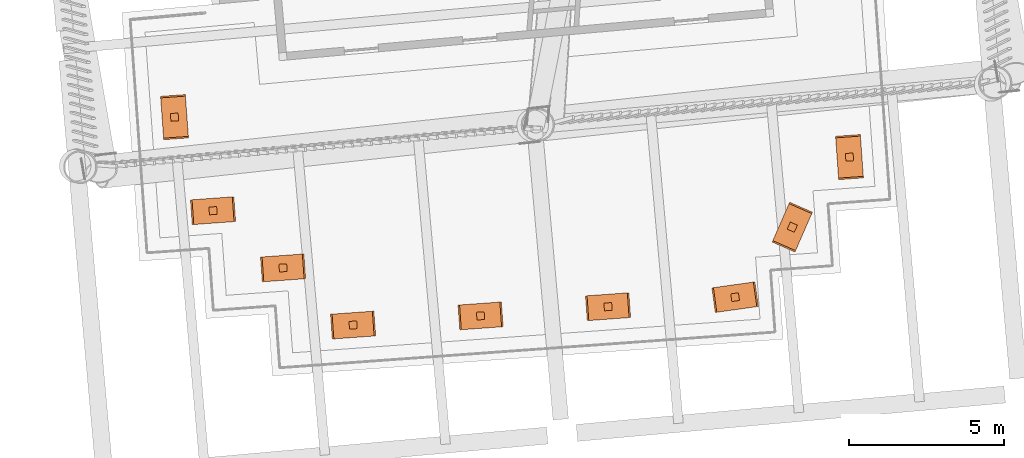
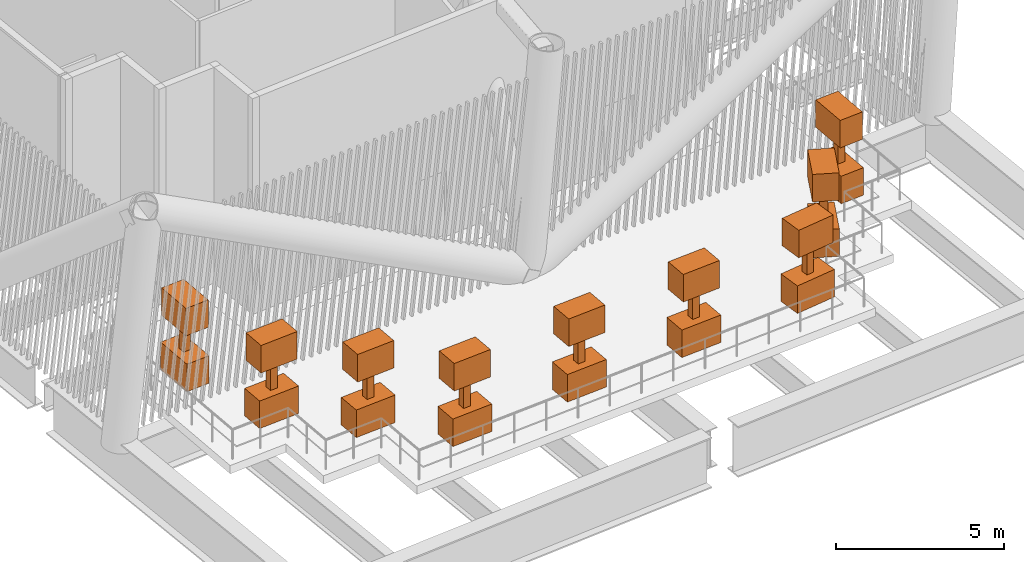
# One storey, part 55 of 55: 27 proxies.
"""IFC4 building model written with IfcOpenShell, lengths in metres."""

from ifc_helpers import new_model, si_unit, direction, frame, origin, origin_2d, place, context, subcontext, project, spatial, rectangle, extrude, material, type_object, element, save


model = new_model("IFC4")

# Units and contexts
model_context = context("Model", 3, precision=1e-05, world=origin(), true_north=direction((0.0, 1.0)))
body_context = subcontext(model_context, "Body", "Model", "MODEL_VIEW")
ifc_project = project(units=[si_unit("LENGTHUNIT", "METRE"), si_unit("AREAUNIT", "SQUARE_METRE"), si_unit("VOLUMEUNIT", "CUBIC_METRE"), si_unit("PLANEANGLEUNIT", "RADIAN"), si_unit("MASSUNIT", "GRAM", prefix="KILO")], contexts=[model_context])

# Site, building, storey
site_placement = place(None, origin())
site = spatial("IfcSite", under=ifc_project, at=site_placement, CompositionType="ELEMENT")
building_placement = place(site_placement, origin())
building = spatial("IfcBuilding", under=site, at=building_placement, Name="Tarsis Ring Headquarters", CompositionType="ELEMENT")
storey_placement = place(building_placement, frame((0.0, 0.0, 247.199951171875)))
storey = spatial("IfcBuildingStorey", under=building, at=storey_placement, Name="L58", CompositionType="ELEMENT", Elevation=247.199951171875)

# Proxies
ifc_material_1 = material(Name="Tree canopy foliage")
building_element_proxy_type_1 = type_object("IfcBuildingElementProxyType", Name="Tree canopy", PredefinedType="USERDEFINED", material=ifc_material_1)
for number, where, z_axis, x_axis, name in (
    (1, (13.972900390625, -43.65966796875, 2.0400390625), (0.0, 0.0, 1.0), (0.071845612485, -0.997415764848, 0.0), "Tree canopy L58-T1.8"),
    (2, (12.130126953125, -45.916015625, 2.0400390625), (0.0, 0.0, 1.0), (-0.400772115137, -0.916177772994, 0.0), "Tree canopy L58-T1.9"),
    (3, (10.28759765625, -48.172607421875, 2.0400390625), (0.0, 0.0, 1.0), (-0.990149004345, -0.14001767458, 0.0), "Tree canopy L58-T1.10"),
    (4, (6.19384765625, -48.480224609375, 2.0400390625), (0.0, 0.0, 1.0), (-0.997415764848, -0.071845612485, 0.0), "Tree canopy L58-T1.11"),
    (5, (2.086181640625, -48.776123046875, 2.0400390625), (0.0, 0.0, 1.0), (-0.997415764848, -0.071845612485, 0.0), "Tree canopy L58-T1.12"),
    (6, (-2.021484375, -49.072021484375, 2.0400390625), (0.0, 0.0, 1.0), (-0.997415764848, -0.071845612485, 0.0), "Tree canopy L58-T1.13"),
    (7, (-4.27783203125, -47.2294921875, 2.0400390625), (0.0, 0.0, 1.0), (-0.997415764848, -0.071845612485, 0.0), "Tree canopy L58-T1.14"),
    (8, (-6.5341796875, -45.38671875, 2.0400390625), (0.0, 0.0, 1.0), (-0.997415764848, -0.071845612485, 0.0), "Tree canopy L58-T1.15"),
    (9, (-7.77587890625, -42.371826171875, 2.0400390625), (0.0, 0.0, 1.0), (-0.071845612485, 0.997415764848, 0.0), "Tree canopy L58-T1.16"),
):
    element("IfcBuildingElementProxy", number, at=place(storey_placement, frame(where, z_axis=z_axis, x_axis=x_axis)), inside=storey, type_object=building_element_proxy_type_1, Name=name, ObjectType="Tree canopy", PredefinedType="USERDEFINED", context=body_context, shape_type="SweptSolid", body=[
        extrude(rectangle(XDim=1.300048828125, YDim=0.800048828125, at=origin_2d()), origin(), (0.0, 0.0, 1.0), 1.0),
    ])
ifc_material_2 = material(Name="Planter soil mix and tree")
building_element_proxy_type_2 = type_object("IfcBuildingElementProxyType", Name="Tree planter", PredefinedType="USERDEFINED", material=ifc_material_2)
for number, where, z_axis, x_axis, name in (
    (10, (13.972900390625, -43.65966796875, 0.0400390625), (0.0, 0.0, 1.0), (0.071845612485, -0.997415764848, 0.0), "Tree planter L58-T1.8"),
    (11, (12.130126953125, -45.916015625, 0.0400390625), (0.0, 0.0, 1.0), (-0.400772115137, -0.916177772994, 0.0), "Tree planter L58-T1.9"),
    (12, (10.28759765625, -48.172607421875, 0.0400390625), (0.0, 0.0, 1.0), (-0.990149004345, -0.14001767458, 0.0), "Tree planter L58-T1.10"),
    (13, (6.19384765625, -48.480224609375, 0.0400390625), (0.0, 0.0, 1.0), (-0.997415764848, -0.071845612485, 0.0), "Tree planter L58-T1.11"),
    (14, (2.086181640625, -48.776123046875, 0.0400390625), (0.0, 0.0, 1.0), (-0.997415764848, -0.071845612485, 0.0), "Tree planter L58-T1.12"),
    (15, (-2.021484375, -49.072021484375, 0.0400390625), (0.0, 0.0, 1.0), (-0.997415764848, -0.071845612485, 0.0), "Tree planter L58-T1.13"),
    (16, (-4.27783203125, -47.2294921875, 0.0400390625), (0.0, 0.0, 1.0), (-0.997415764848, -0.071845612485, 0.0), "Tree planter L58-T1.14"),
    (17, (-6.5341796875, -45.38671875, 0.0400390625), (0.0, 0.0, 1.0), (-0.997415764848, -0.071845612485, 0.0), "Tree planter L58-T1.15"),
    (18, (-7.77587890625, -42.371826171875, 0.0400390625), (0.0, 0.0, 1.0), (-0.071845612485, 0.997415764848, 0.0), "Tree planter L58-T1.16"),
):
    element("IfcBuildingElementProxy", number, at=place(storey_placement, frame(where, z_axis=z_axis, x_axis=x_axis)), inside=storey, type_object=building_element_proxy_type_2, Name=name, ObjectType="Planter", PredefinedType="USERDEFINED", context=body_context, shape_type="SweptSolid", body=[
        extrude(rectangle(XDim=1.39990234375, YDim=0.800048828125, at=origin_2d()), origin(), (0.0, 0.0, 1.0), 1.0),
    ])
ifc_material_3 = material(Name="Tree trunk timber", Category="wood")
building_element_proxy_type_3 = type_object("IfcBuildingElementProxyType", Name="Tree trunk", PredefinedType="USERDEFINED", material=ifc_material_3)
for number, where, z_axis, x_axis, name in (
    (19, (13.972900390625, -43.65966796875, 1.0400390625), (0.0, 0.0, 1.0), (0.071845612485, -0.997415764848, 0.0), "Tree trunk L58-T1.8"),
    (20, (12.130126953125, -45.916015625, 1.0400390625), (0.0, 0.0, 1.0), (-0.400772115137, -0.916177772994, 0.0), "Tree trunk L58-T1.9"),
    (21, (10.28759765625, -48.172607421875, 1.0400390625), (0.0, 0.0, 1.0), (-0.990149004345, -0.14001767458, 0.0), "Tree trunk L58-T1.10"),
    (22, (6.19384765625, -48.480224609375, 1.0400390625), (0.0, 0.0, 1.0), (-0.997415764848, -0.071845612485, 0.0), "Tree trunk L58-T1.11"),
    (23, (2.086181640625, -48.776123046875, 1.0400390625), (0.0, 0.0, 1.0), (-0.997415764848, -0.071845612485, 0.0), "Tree trunk L58-T1.12"),
    (24, (-2.021484375, -49.072021484375, 1.0400390625), (0.0, 0.0, 1.0), (-0.997415764848, -0.071845612485, 0.0), "Tree trunk L58-T1.13"),
    (25, (-4.27783203125, -47.2294921875, 1.0400390625), (0.0, 0.0, 1.0), (-0.997415764848, -0.071845612485, 0.0), "Tree trunk L58-T1.14"),
    (26, (-6.5341796875, -45.38671875, 1.0400390625), (0.0, 0.0, 1.0), (-0.997415764848, -0.071845612485, 0.0), "Tree trunk L58-T1.15"),
    (27, (-7.77587890625, -42.371826171875, 1.0400390625), (0.0, 0.0, 1.0), (-0.071845612485, 0.997415764848, 0.0), "Tree trunk L58-T1.16"),
):
    element("IfcBuildingElementProxy", number, at=place(storey_placement, frame(where, z_axis=z_axis, x_axis=x_axis)), inside=storey, type_object=building_element_proxy_type_3, Name=name, ObjectType="Tree trunk", PredefinedType="USERDEFINED", context=body_context, shape_type="SweptSolid", body=[
        extrude(rectangle(XDim=0.25, YDim=0.25, at=origin_2d()), origin(), (0.0, 0.0, 1.0), 1.0),
    ])

save(model, "model.ifc")
